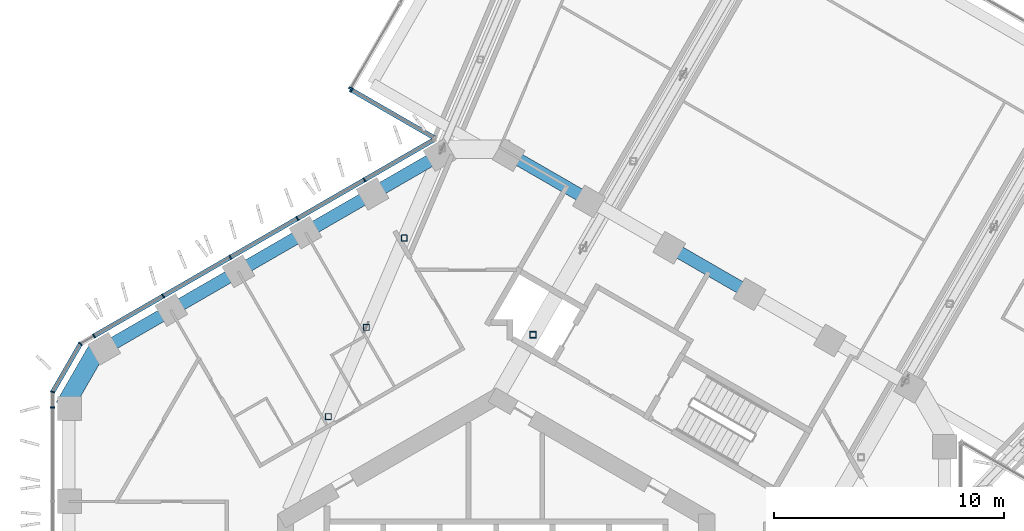
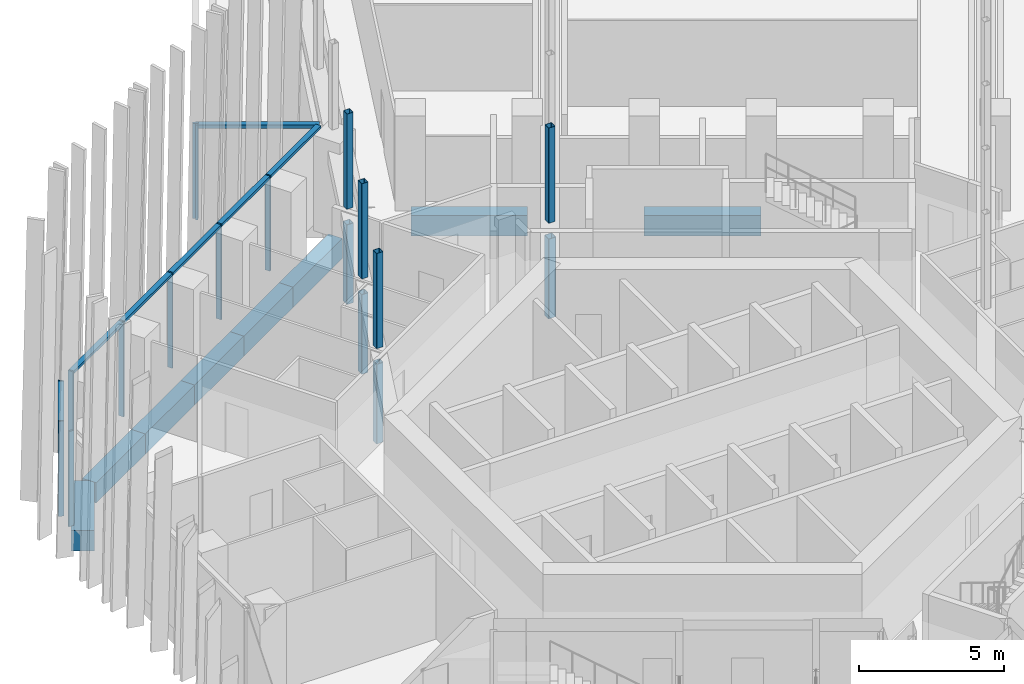
# One storey, part 7 of 31: 21 members, 8 beams, 5 elements without a shape of their own.
"""IFC4 building model written with IfcOpenShell, lengths in metres."""

from ifc_helpers import new_model, si_unit, direction, frame, origin, origin_2d, place, context, subcontext, project, spatial, rectangle, hollow_rectangle, extrude, material, layer, layer_set, material_profile, profile_set, type_object, element, aggregate, save


model = new_model("IFC4")

# Units and contexts
model_context = context("Model", 3, precision=1e-05, world=origin(), true_north=direction((0.0, 1.0)))
body_context = subcontext(model_context, "Body", "Model", "MODEL_VIEW")
ifc_project = project(units=[si_unit("LENGTHUNIT", "METRE"), si_unit("AREAUNIT", "SQUARE_METRE"), si_unit("VOLUMEUNIT", "CUBIC_METRE"), si_unit("PLANEANGLEUNIT", "RADIAN"), si_unit("MASSUNIT", "GRAM", prefix="KILO")], contexts=[model_context])

# Site, building, storey
site_placement = place(None, origin())
site = spatial("IfcSite", under=ifc_project, at=site_placement, CompositionType="ELEMENT")
building_placement = place(site_placement, origin())
building = spatial("IfcBuilding", under=site, at=building_placement, Name="Ayvan Gate Tower", CompositionType="ELEMENT")
storey_placement = place(building_placement, frame((0.0, 0.0, 135.89990234375)))
storey = spatial("IfcBuildingStorey", under=building, at=storey_placement, Name="L36", CompositionType="ELEMENT", Elevation=135.89990234375)

# Beam
ifc_material_1 = material(Name="Concrete C40/50", Category="concrete")
ifc_material_profile_1 = material_profile(ifc_material_1, rectangle(XDim=0.800048828125, YDim=0.85009765625, at=origin_2d()), Name="RC 800x850")
ifc_profile_set_1 = profile_set([ifc_material_profile_1], Name="Concrete C40/50")
beam_type_1 = type_object("IfcBeamType", Name="Corner spandrel beam RC 800x850 C40/50", PredefinedType="BEAM", material=ifc_profile_set_1)
beam_1_placement = place(storey_placement, frame((-17.268798828125, 12.749755859375, -0.824951171875), z_axis=(-0.50002537861, -0.866010750942, 0.0), x_axis=(0.866010750942, -0.50002537861, 0.0)))
element("IfcBeam", 1, at=beam_1_placement, inside=storey, type_object=beam_type_1, Name="SB-L36-18", PredefinedType="BEAM", context=body_context, shape_type="SweptSolid", body=[
    extrude(rectangle(XDim=0.800048828125, YDim=0.85009765625, at=origin_2d()), origin(), (0.0, 0.0, 1.0), 2.999755859375),
])

# Members
ifc_material_2 = material(Name="Steel S460NH", Category="steel")
ifc_material_profile_2 = material_profile(ifc_material_2, hollow_rectangle(XDim=0.27001953125, YDim=0.27001953125, WallThickness=0.01611328125, InnerFilletRadius=0.01611328125, OuterFilletRadius=0.02392578125, at=origin_2d()), Name="RHS 270x270x16")
ifc_profile_set_2 = profile_set([ifc_material_profile_2], Name="Steel S460NH")
member_type_1 = type_object("IfcMemberType", Name="Sky bar end truss post B3 RHS 270x270x16", PredefinedType="POST", material=ifc_profile_set_2)
for number, where, z_axis, x_axis, name in (
    (2, (-7.290283203125, 9.717529296875, -0.39990234375), (0.0, 0.0, 1.0), (1.0, 0.0, 0.0), "SBT3-4-P-1"),
    (3, (-5.640625, 13.59716796875, -0.39990234375), (0.0, 0.0, 1.0), (1.0, 0.0, 0.0), "SBT3-4-P-2"),
    (4, (-3.99072265625, 17.476806640625, -0.39990234375), (0.0, 0.0, 1.0), (1.0, 0.0, 0.0), "SBT3-4-P-3"),
):
    element("IfcMember", number, at=place(storey_placement, frame(where, z_axis=z_axis, x_axis=x_axis)), inside=storey, type_object=member_type_1, Name=name, PredefinedType="POST", context=body_context, shape_type="SweptSolid", body=[
        extrude(hollow_rectangle(XDim=0.27001953125, YDim=0.27001953125, WallThickness=0.01611328125, InnerFilletRadius=0.01611328125, OuterFilletRadius=0.02392578125, at=origin_2d()), origin(), (0.0, 0.0, 1.0), 3.35009765625),
    ])
ifc_material_profile_3 = material_profile(ifc_material_2, hollow_rectangle(XDim=0.300048828125, YDim=0.300048828125, WallThickness=0.01611328125, InnerFilletRadius=0.01611328125, OuterFilletRadius=0.02392578125, at=origin_2d()), Name="RHS 300x300x16")
ifc_profile_set_3 = profile_set([ifc_material_profile_3], Name="Steel S460NH")
member_type_2 = type_object("IfcMemberType", Name="Sky bar truss post B3 RHS 300x300x16", PredefinedType="POST", material=ifc_profile_set_3)
member_1_placement = place(storey_placement, frame((1.603271484375, 13.277099609375, -0.39990234375), z_axis=(0.0, 0.0, 1.0), x_axis=(1.0, 0.0, 0.0)))
element("IfcMember", 5, at=member_1_placement, inside=storey, type_object=member_type_2, Name="SBT3-3-P-1", PredefinedType="POST", context=body_context, shape_type="SweptSolid", body=[
    extrude(hollow_rectangle(XDim=0.300048828125, YDim=0.300048828125, WallThickness=0.01611328125, InnerFilletRadius=0.01611328125, OuterFilletRadius=0.02392578125, at=origin_2d()), origin(), (0.0, 0.0, 1.0), 3.35009765625),
])
ifc_material_profile_4 = material_profile(ifc_material_2, hollow_rectangle(XDim=0.260009765625, YDim=0.260009765625, WallThickness=0.012451171875, InnerFilletRadius=0.012451171875, OuterFilletRadius=0.018798828125, at=origin_2d()), Name="RHS 260x260x12.5")
ifc_profile_set_4 = profile_set([ifc_material_profile_4], Name="Steel S460NH")
member_type_3 = type_object("IfcMemberType", Name="Sky bar upper post B3 RHS 260x260x12.5", PredefinedType="POST", material=ifc_profile_set_4)
for number, where, z_axis, x_axis, name in (
    (6, (1.603271484375, 13.277099609375, 3.60009765625), (0.0, 0.0, 1.0), (1.0, 0.0, 0.0), "SBT3-3-U-1"),
    (7, (-7.290283203125, 9.717529296875, 3.60009765625), (0.0, 0.0, 1.0), (1.0, 0.0, 0.0), "SBT3-4-U-1"),
    (8, (-5.640625, 13.59716796875, 3.60009765625), (0.0, 0.0, 1.0), (1.0, 0.0, 0.0), "SBT3-4-U-2"),
    (9, (-3.99072265625, 17.476806640625, 3.60009765625), (0.0, 0.0, 1.0), (1.0, 0.0, 0.0), "SBT3-4-U-3"),
):
    element("IfcMember", number, at=place(storey_placement, frame(where, z_axis=z_axis, x_axis=x_axis)), inside=storey, type_object=member_type_3, Name=name, PredefinedType="POST", context=body_context, shape_type="SweptSolid", body=[
        extrude(hollow_rectangle(XDim=0.260009765625, YDim=0.260009765625, WallThickness=0.012451171875, InnerFilletRadius=0.012451171875, OuterFilletRadius=0.018798828125, at=origin_2d()), origin(), (0.0, 0.0, 1.0), 4.0),
    ])

# Beams
ifc_material_profile_5 = material_profile(ifc_material_1, rectangle(XDim=0.550048828125, YDim=0.85009765625, at=origin_2d()), Name="RC 550x850")
ifc_profile_set_5 = profile_set([ifc_material_profile_5], Name="Concrete C40/50")
beam_type_2 = type_object("IfcBeamType", Name="Spandrel beam RC 550x850 C40/50", PredefinedType="BEAM", material=ifc_profile_set_5)
beam_2_placement = place(storey_placement, frame((11.028564453125, 15.085205078125, -0.824951171875), z_axis=(-0.866042878142, 0.499969732304, 0.0), x_axis=(-0.499969732304, -0.866042878142, 0.0)))
element("IfcBeam", 10, at=beam_2_placement, inside=storey, type_object=beam_type_2, Name="SB-L36-9", PredefinedType="BEAM", context=body_context, shape_type="SweptSolid", body=[
    extrude(rectangle(XDim=0.550048828125, YDim=0.85009765625, at=origin_2d()), origin(), (0.0, 0.0, 1.0), 4.016845703125),
])
beam_3_placement = place(storey_placement, frame((4.0712890625, 19.101806640625, -0.824951171875), z_axis=(-0.866027683981, 0.499996050563, 0.0), x_axis=(-0.499996050563, -0.866027683981, 0.0)))
element("IfcBeam", 11, at=beam_3_placement, inside=storey, type_object=beam_type_2, Name="SB-L36-11", PredefinedType="BEAM", context=body_context, shape_type="SweptSolid", body=[
    extrude(rectangle(XDim=0.550048828125, YDim=0.85009765625, at=origin_2d()), origin(), (0.0, 0.0, 1.0), 4.0166015625),
])
beam_4_placement = place(storey_placement, frame((-2.4072265625, 21.110107421875, -0.824951171875), z_axis=(-0.866030797895, -0.499990657009, 0.0), x_axis=(0.499990657009, -0.866030797895, 0.0)))
element("IfcBeam", 12, at=beam_4_placement, inside=storey, type_object=beam_type_2, Name="SB-L36-13", PredefinedType="BEAM", context=body_context, shape_type="SweptSolid", body=[
    extrude(rectangle(XDim=0.550048828125, YDim=0.85009765625, at=origin_2d()), origin(), (0.0, 0.0, 1.0), 3.38818359375),
])
beam_5_placement = place(storey_placement, frame((-5.341552734375, 19.416015625, -0.824951171875), z_axis=(-0.866012783096, -0.500021859037, 0.0), x_axis=(0.500021859037, -0.866012783096, 0.0)))
element("IfcBeam", 13, at=beam_5_placement, inside=storey, type_object=beam_type_2, Name="SB-L36-14", PredefinedType="BEAM", context=body_context, shape_type="SweptSolid", body=[
    extrude(rectangle(XDim=0.550048828125, YDim=0.85009765625, at=origin_2d()), origin(), (0.0, 0.0, 1.0), 3.387939453125),
])
beam_6_placement = place(storey_placement, frame((-8.275634765625, 17.721923828125, -0.824951171875), z_axis=(-0.866061997738, -0.499936612056, 0.0), x_axis=(0.499936612056, -0.866061997738, 0.0)))
element("IfcBeam", 14, at=beam_6_placement, inside=storey, type_object=beam_type_2, Name="SB-L36-15", PredefinedType="BEAM", context=body_context, shape_type="SweptSolid", body=[
    extrude(rectangle(XDim=0.550048828125, YDim=0.85009765625, at=origin_2d()), origin(), (0.0, 0.0, 1.0), 3.38818359375),
])
beam_7_placement = place(storey_placement, frame((-11.2099609375, 16.028076171875, -0.824951171875), z_axis=(-0.866012783096, -0.500021859037, 0.0), x_axis=(0.500021859037, -0.866012783096, 0.0)))
element("IfcBeam", 15, at=beam_7_placement, inside=storey, type_object=beam_type_2, Name="SB-L36-16", PredefinedType="BEAM", context=body_context, shape_type="SweptSolid", body=[
    extrude(rectangle(XDim=0.550048828125, YDim=0.85009765625, at=origin_2d()), origin(), (0.0, 0.0, 1.0), 3.387939453125),
])
beam_8_placement = place(storey_placement, frame((-14.14404296875, 14.333984375, -0.824951171875), z_axis=(-0.866030797895, -0.499990657009, 0.0), x_axis=(0.499990657009, -0.866030797895, 0.0)))
element("IfcBeam", 16, at=beam_8_placement, inside=storey, type_object=beam_type_2, Name="SB-L36-17", PredefinedType="BEAM", context=body_context, shape_type="SweptSolid", body=[
    extrude(rectangle(XDim=0.550048828125, YDim=0.85009765625, at=origin_2d()), origin(), (0.0, 0.0, 1.0), 3.38818359375),
])

# Curtain wall, members
ifc_material_3 = material(Name="Bronze anodised aluminium", Category="aluminium")
ifc_layer_1 = layer(ifc_material_3, 0.199951171875)
ifc_layer_set_1 = layer_set([ifc_layer_1], Name="Bronze anodised aluminium")
curtain_wall_type_1 = type_object("IfcCurtainWallType", Name="Stick curtain wall CW-1", PredefinedType="NOTDEFINED", material=ifc_layer_set_1)
curtain_wall_1_placement = place(storey_placement, origin())
curtain_wall_1 = element("IfcCurtainWall", 17, at=curtain_wall_1_placement, inside=storey, type_object=curtain_wall_type_1, Name="Stick curtain wall CW-1 L36", PredefinedType="NOTDEFINED")
ifc_material_profile_6 = material_profile(ifc_material_3, rectangle(XDim=0.199951171875, YDim=0.06005859375, at=origin_2d()), Name="Stick curtain wall CW-1 mullion 200 x 60")
ifc_profile_set_6 = profile_set([ifc_material_profile_6], Name="Bronze anodised aluminium")
member_type_4 = type_object("IfcMemberType", Name="Stick curtain wall CW-1 mullion 200 x 60", PredefinedType="MULLION", material=ifc_profile_set_6)
member_2_placement = place(storey_placement, frame((-5.72119140625, 20.005126953125, 0.0), z_axis=(0.0, 0.0, 1.0), x_axis=(-0.5, 0.866025403784, 0.0)))
member_2 = element("IfcMember", 18, at=member_2_placement, type_object=member_type_4, Name="CW-1 mullion 2", PredefinedType="MULLION", context=body_context, shape_type="SweptSolid", body=[
    extrude(rectangle(XDim=0.199951171875, YDim=0.06005859375, at=origin_2d()), origin(), (0.0, 0.0, 1.0), 4.0),
])
member_3_placement = place(storey_placement, frame((-8.63525390625, 18.32275390625, 0.0), z_axis=(0.0, 0.0, 1.0), x_axis=(-0.5, 0.866025403784, 0.0)))
member_3 = element("IfcMember", 19, at=member_3_placement, type_object=member_type_4, Name="CW-1 mullion 3", PredefinedType="MULLION", context=body_context, shape_type="SweptSolid", body=[
    extrude(rectangle(XDim=0.199951171875, YDim=0.06005859375, at=origin_2d()), origin(), (0.0, 0.0, 1.0), 4.0),
])
member_4_placement = place(storey_placement, frame((-11.55029296875, 16.6396484375, 0.0), z_axis=(0.0, 0.0, 1.0), x_axis=(-0.5, 0.866025403784, 0.0)))
member_4 = element("IfcMember", 20, at=member_4_placement, type_object=member_type_4, Name="CW-1 mullion 4", PredefinedType="MULLION", context=body_context, shape_type="SweptSolid", body=[
    extrude(rectangle(XDim=0.199951171875, YDim=0.06005859375, at=origin_2d()), origin(), (0.0, 0.0, 1.0), 4.0),
])
member_5_placement = place(storey_placement, frame((-14.464599609375, 14.957275390625, 0.0), z_axis=(0.0, 0.0, 1.0), x_axis=(-0.5, 0.866025403784, 0.0)))
member_5 = element("IfcMember", 21, at=member_5_placement, type_object=member_type_4, Name="CW-1 mullion 5", PredefinedType="MULLION", context=body_context, shape_type="SweptSolid", body=[
    extrude(rectangle(XDim=0.199951171875, YDim=0.06005859375, at=origin_2d()), origin(), (0.0, 0.0, 1.0), 4.0),
])
member_6_placement = place(storey_placement, frame((-17.4677734375, 13.223388671875, 0.0), z_axis=(0.0, 0.0, 1.0), x_axis=(-0.5, 0.866025403784, 0.0)))
member_6 = element("IfcMember", 22, at=member_6_placement, type_object=member_type_4, Name="CW-1 mullion 6", PredefinedType="MULLION", context=body_context, shape_type="SweptSolid", body=[
    extrude(rectangle(XDim=0.199951171875, YDim=0.06005859375, at=origin_2d()), origin(), (0.0, 0.0, 1.0), 4.0),
])

# Curtain wall, member
curtain_wall_2_placement = place(storey_placement, origin())
curtain_wall_2 = element("IfcCurtainWall", 23, at=curtain_wall_2_placement, inside=storey, type_object=curtain_wall_type_1, Name="Stick curtain wall CW-1 L36", PredefinedType="NOTDEFINED")
member_7_placement = place(storey_placement, frame((-19.263916015625, 10.1123046875, 0.0), z_axis=(0.0, 0.0, 1.0), x_axis=(-1.0, 0.0, 0.0)))
member_7 = element("IfcMember", 24, at=member_7_placement, type_object=member_type_4, Name="CW-1 mullion 1", PredefinedType="MULLION", context=body_context, shape_type="SweptSolid", body=[
    extrude(rectangle(XDim=0.199951171875, YDim=0.06005859375, at=origin_2d()), origin(), (0.0, 0.0, 1.0), 4.0),
])
aggregate(curtain_wall_2, [member_7])

# Member
ifc_material_profile_7 = material_profile(ifc_material_3, rectangle(XDim=0.199951171875, YDim=0.1201171875, at=origin_2d()), Name="Stick curtain wall CW-1 transom 200 x 120")
ifc_profile_set_7 = profile_set([ifc_material_profile_7], Name="Bronze anodised aluminium")
member_type_5 = type_object("IfcMemberType", Name="Stick curtain wall CW-1 transom 200 x 120", PredefinedType="USERDEFINED", material=ifc_profile_set_7)
member_8_placement = place(storey_placement, frame((-2.7177734375, 21.7392578125, 3.940185546875), z_axis=(-0.866026607087, -0.499997915814, 0.0), x_axis=(0.499997915814, -0.866026607087, 0.0)))
member_8 = element("IfcMember", 25, at=member_8_placement, type_object=member_type_5, Name="CW-1 transom 1", ObjectType="TRANSOM", PredefinedType="USERDEFINED", context=body_context, shape_type="SweptSolid", body=[
    extrude(rectangle(XDim=0.199951171875, YDim=0.1201171875, at=origin_2d()), origin(), (0.0, 0.0, 1.0), 17.03173828125),
])

aggregate(curtain_wall_1, [member_2, member_3, member_4, member_5, member_6, member_8])

# Curtain wall, member
ifc_layer_2 = layer(ifc_material_3, 0.199951171875)
ifc_layer_set_2 = layer_set([ifc_layer_2], Name="Bronze anodised aluminium")
curtain_wall_type_2 = type_object("IfcCurtainWallType", Name="Stick curtain wall CW-4", PredefinedType="NOTDEFINED", material=ifc_layer_set_2)
curtain_wall_3_placement = place(storey_placement, origin())
curtain_wall_3 = element("IfcCurtainWall", 26, at=curtain_wall_3_placement, inside=storey, type_object=curtain_wall_type_2, Name="Stick curtain wall CW-4 L36", PredefinedType="NOTDEFINED")
ifc_material_profile_8 = material_profile(ifc_material_3, rectangle(XDim=0.199951171875, YDim=0.080078125, at=origin_2d()), Name="Stick curtain wall CW-4 mullion 200 x 80")
ifc_profile_set_8 = profile_set([ifc_material_profile_8], Name="Bronze anodised aluminium")
member_type_6 = type_object("IfcMemberType", Name="Stick curtain wall CW-4 mullion 200 x 80", PredefinedType="MULLION", material=ifc_profile_set_8)
member_9_placement = place(storey_placement, frame((-6.31005859375, 23.970458984375, 0.0), z_axis=(0.0, 0.0, 1.0), x_axis=(-0.866025403784, 0.5, 0.0)))
member_9 = element("IfcMember", 27, at=member_9_placement, type_object=member_type_6, Name="CW-4 mullion 5", PredefinedType="MULLION", context=body_context, shape_type="SweptSolid", body=[
    extrude(rectangle(XDim=0.199951171875, YDim=0.080078125, at=origin_2d()), origin(), (0.0, 0.0, 1.0), 4.0),
])
aggregate(curtain_wall_3, [member_9])

# Curtain wall, members
curtain_wall_4_placement = place(storey_placement, origin())
curtain_wall_4 = element("IfcCurtainWall", 28, at=curtain_wall_4_placement, inside=storey, type_object=curtain_wall_type_2, Name="Stick curtain wall CW-4 L36", PredefinedType="NOTDEFINED")
member_10_placement = place(storey_placement, frame((-6.29541015625, 23.915771484375, 0.0), z_axis=(0.0, 0.0, 1.0), x_axis=(-0.5, -0.866025403784, 0.0)))
member_10 = element("IfcMember", 29, at=member_10_placement, type_object=member_type_6, Name="CW-4 mullion 1", PredefinedType="MULLION", context=body_context, shape_type="SweptSolid", body=[
    extrude(rectangle(XDim=0.199951171875, YDim=0.080078125, at=origin_2d()), origin(), (0.0, 0.0, 1.0), 4.0),
])
ifc_material_profile_9 = material_profile(ifc_material_3, rectangle(XDim=0.199951171875, YDim=0.139892578125, at=origin_2d()), Name="Stick curtain wall CW-4 transom 200 x 140")
ifc_profile_set_9 = profile_set([ifc_material_profile_9], Name="Bronze anodised aluminium")
member_type_7 = type_object("IfcMemberType", Name="Stick curtain wall CW-4 transom 200 x 140", PredefinedType="USERDEFINED", material=ifc_profile_set_9)
member_11_placement = place(storey_placement, frame((-6.29541015625, 23.915771484375, 3.93017578125), z_axis=(0.866015533237, -0.5000170959, 0.0), x_axis=(0.5000170959, 0.866015533237, 0.0)))
member_11 = element("IfcMember", 30, at=member_11_placement, type_object=member_type_7, Name="CW-4 transom 1", ObjectType="TRANSOM", PredefinedType="USERDEFINED", context=body_context, shape_type="SweptSolid", body=[
    extrude(rectangle(XDim=0.199951171875, YDim=0.139892578125, at=origin_2d()), origin(), (0.0, 0.0, 1.0), 4.231689453125),
])
aggregate(curtain_wall_4, [member_10, member_11])

ifc_layer_3 = layer(ifc_material_3, 0.199951171875)
ifc_layer_set_3 = layer_set([ifc_layer_3], Name="Bronze anodised aluminium")
curtain_wall_type_3 = type_object("IfcCurtainWallType", Name="Stick curtain wall CW-6", PredefinedType="NOTDEFINED", material=ifc_layer_set_3)
curtain_wall_5_placement = place(storey_placement, origin())
curtain_wall_5 = element("IfcCurtainWall", 31, at=curtain_wall_5_placement, inside=storey, type_object=curtain_wall_type_3, Name="Stick curtain wall CW-6 L36", PredefinedType="NOTDEFINED")
ifc_material_profile_10 = material_profile(ifc_material_3, rectangle(XDim=0.199951171875, YDim=0.050048828125, at=origin_2d()), Name="Stick curtain wall CW-6 mullion 200 x 50")
ifc_profile_set_10 = profile_set([ifc_material_profile_10], Name="Bronze anodised aluminium")
member_type_8 = type_object("IfcMemberType", Name="Stick curtain wall CW-6 mullion 200 x 50", PredefinedType="MULLION", material=ifc_profile_set_10)
member_12_placement = place(storey_placement, frame((-18.056640625, 12.88330078125, 0.0), z_axis=(0.0, 0.0, 1.0), x_axis=(-0.707106781187, 0.707106781187, 0.0)))
member_12 = element("IfcMember", 32, at=member_12_placement, type_object=member_type_8, Name="CW-6 mullion 2", PredefinedType="MULLION", context=body_context, shape_type="SweptSolid", body=[
    extrude(rectangle(XDim=0.199951171875, YDim=0.050048828125, at=origin_2d()), origin(), (0.0, 0.0, 1.0), 4.0),
])
member_13_placement = place(storey_placement, frame((-19.263916015625, 10.792236328125, 0.0), z_axis=(0.0, 0.0, 1.0), x_axis=(-0.965925826289, 0.258819045103, 0.0)))
member_13 = element("IfcMember", 33, at=member_13_placement, type_object=member_type_8, Name="CW-6 mullion 3", PredefinedType="MULLION", context=body_context, shape_type="SweptSolid", body=[
    extrude(rectangle(XDim=0.199951171875, YDim=0.050048828125, at=origin_2d()), origin(), (0.0, 0.0, 1.0), 4.0),
])
ifc_material_profile_11 = material_profile(ifc_material_3, rectangle(XDim=0.199951171875, YDim=0.1201171875, at=origin_2d()), Name="Stick curtain wall CW-6 transom 200 x 120")
ifc_profile_set_11 = profile_set([ifc_material_profile_11], Name="Bronze anodised aluminium")
member_type_9 = type_object("IfcMemberType", Name="Stick curtain wall CW-6 transom 200 x 120", PredefinedType="USERDEFINED", material=ifc_profile_set_11)
member_14_placement = place(storey_placement, frame((-18.069091796875, 12.861572265625, 3.940185546875), z_axis=(-0.500059108572, -0.865991274745, 0.0), x_axis=(0.865991274745, -0.500059108572, 0.0)))
member_14 = element("IfcMember", 34, at=member_14_placement, type_object=member_type_9, Name="CW-6 transom 2", ObjectType="TRANSOM", PredefinedType="USERDEFINED", context=body_context, shape_type="SweptSolid", body=[
    extrude(rectangle(XDim=0.199951171875, YDim=0.1201171875, at=origin_2d()), origin(), (0.0, 0.0, 1.0), 2.364501953125),
])
aggregate(curtain_wall_5, [member_12, member_13, member_14])

save(model, "model.ifc")
